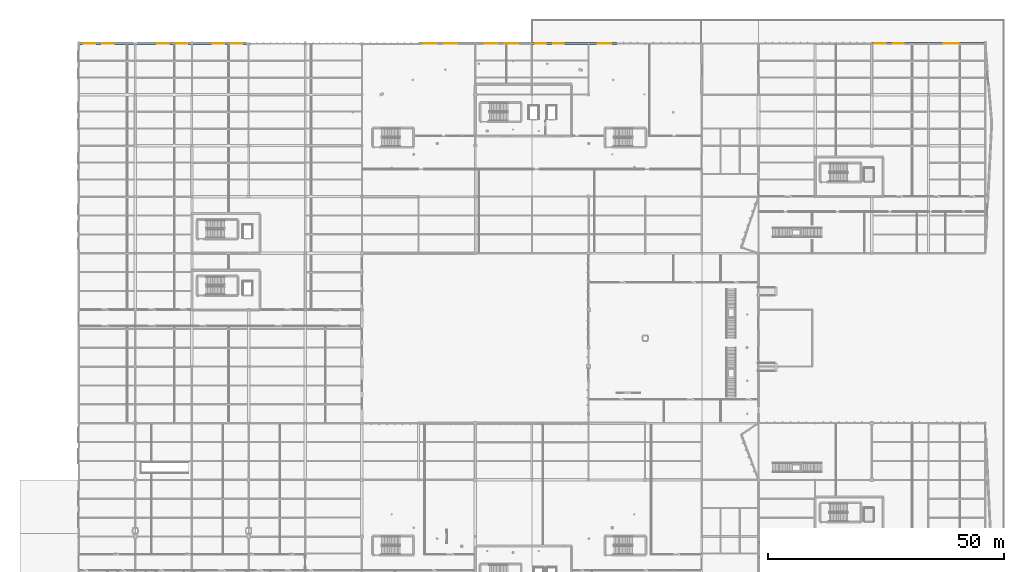
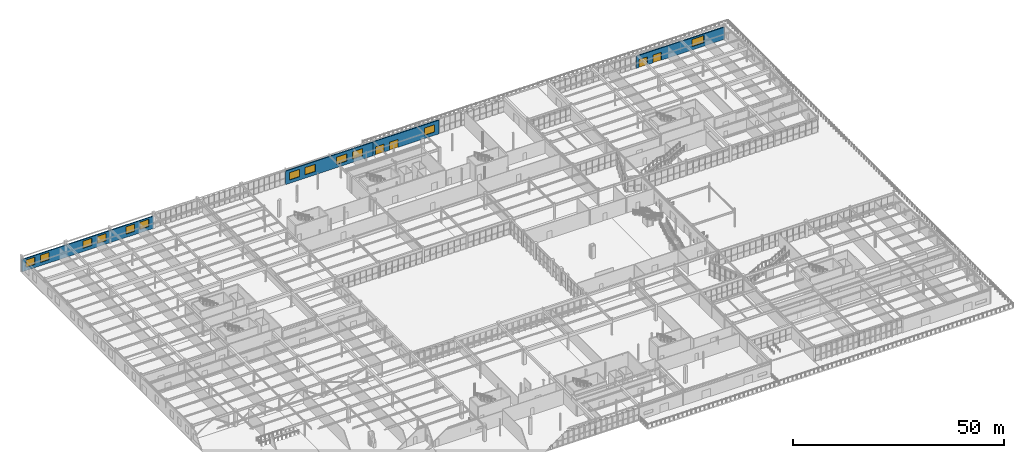
# One storey, part 173 of 199: 12 windows, 4 doors, 4 walls, 16 openings.
"""IFC4 building model written with IfcOpenShell, lengths in metres."""

from ifc_helpers import new_model, si_unit, direction, frame, frame_2d, origin, place, context, subcontext, project, spatial, rectangle, extrude, material, layer, layer_set, type_object, element, fill, save


model = new_model("IFC4")

# Units and contexts
model_context = context("Model", 3, precision=1e-05, world=origin(), true_north=direction((0.0, 1.0)))
body_context = subcontext(model_context, "Body", "Model", "MODEL_VIEW")
ifc_project = project(units=[si_unit("LENGTHUNIT", "METRE"), si_unit("AREAUNIT", "SQUARE_METRE"), si_unit("VOLUMEUNIT", "CUBIC_METRE"), si_unit("PLANEANGLEUNIT", "RADIAN"), si_unit("MASSUNIT", "GRAM", prefix="KILO")], contexts=[model_context])

# Site, building, storey
site_placement = place(None, origin())
site = spatial("IfcSite", under=ifc_project, at=site_placement, CompositionType="ELEMENT")
building_placement = place(site_placement, origin())
building = spatial("IfcBuilding", under=site, at=building_placement, Name="Tarnwether General Hospital", CompositionType="ELEMENT")
storey_placement = place(building_placement, origin())
storey = spatial("IfcBuildingStorey", under=building, at=storey_placement, Name="L00", CompositionType="ELEMENT", Elevation=0.0)

# Wall, openings, windows
ifc_material_1 = material(Name="Precast concrete 40 MPa", Category="concrete")
ifc_layer = layer(ifc_material_1, 0.280029296875)
ifc_layer_set = layer_set([ifc_layer], Name="Precast concrete 40 MPa")
wall_type = type_object("IfcWallType", Name="WL-EX280", PredefinedType="STANDARD", material=ifc_layer_set)
wall_1_placement = place(storey_placement, frame((0.0, 126.0, 0.0), z_axis=(0.0, 0.0, 1.0), x_axis=(1.0, 0.0, 0.0)))
wall_1 = element("IfcWall", 1, at=wall_1_placement, inside=storey, type_object=wall_type, Name="L00 North Street Wall EW-L00-0283", PredefinedType="STANDARD", context=body_context, shape_type="SweptSolid", body=[
    extrude(rectangle(XDim=36.0, YDim=0.280029296875, at=frame_2d((18.0, 0.0))), origin(), (0.0, 0.0, 1.0), 3.530029296875),
])
opening_1_placement = place(wall_1_placement, frame((1.10009765625, 0.0, 0.949951171875)))
opening_1 = element("IfcOpeningElement", 2, at=opening_1_placement, cuts=wall_1, Name="Opening W-15", PredefinedType="OPENING", context=body_context, shape_type="SweptSolid", body=[
    extrude(rectangle(XDim=2.39990234375, YDim=2.10009765625, at=frame_2d((1.199951171875, 1.050048828125))), frame((0.0, 0.14990234375, 0.0), z_axis=(0.0, -1.0, 0.0), x_axis=(1.0, 0.0, 0.0)), (0.0, 0.0, 1.0), 0.300048828125),
])
opening_2_placement = place(wall_1_placement, frame((5.0, 0.0, 0.949951171875)))
opening_2 = element("IfcOpeningElement", 3, at=opening_2_placement, cuts=wall_1, Name="Opening W-15", PredefinedType="OPENING", context=body_context, shape_type="SweptSolid", body=[
    extrude(rectangle(XDim=2.39990234375, YDim=2.10009765625, at=frame_2d((1.199951171875, 1.050048828125))), frame((0.0, 0.14990234375, 0.0), z_axis=(0.0, -1.0, 0.0), x_axis=(1.0, 0.0, 0.0)), (0.0, 0.0, 1.0), 0.300048828125),
])
opening_3_placement = place(wall_1_placement, frame((16.699951171875, 0.0, 0.949951171875)))
opening_3 = element("IfcOpeningElement", 4, at=opening_3_placement, cuts=wall_1, Name="Opening W-15", PredefinedType="OPENING", context=body_context, shape_type="SweptSolid", body=[
    extrude(rectangle(XDim=2.39990234375, YDim=2.10009765625, at=frame_2d((1.199951171875, 1.050048828125))), frame((0.0, 0.14990234375, 0.0), z_axis=(0.0, -1.0, 0.0), x_axis=(1.0, 0.0, 0.0)), (0.0, 0.0, 1.0), 0.300048828125),
])
opening_4_placement = place(wall_1_placement, frame((20.60009765625, 0.0, 0.949951171875)))
opening_4 = element("IfcOpeningElement", 5, at=opening_4_placement, cuts=wall_1, Name="Opening W-15", PredefinedType="OPENING", context=body_context, shape_type="SweptSolid", body=[
    extrude(rectangle(XDim=2.39990234375, YDim=2.10009765625, at=frame_2d((1.199951171875, 1.050048828125))), frame((0.0, 0.14990234375, 0.0), z_axis=(0.0, -1.0, 0.0), x_axis=(1.0, 0.0, 0.0)), (0.0, 0.0, 1.0), 0.300048828125),
])
opening_5_placement = place(wall_1_placement, frame((28.39990234375, 0.0, 0.949951171875)))
opening_5 = element("IfcOpeningElement", 6, at=opening_5_placement, cuts=wall_1, Name="Opening W-15", PredefinedType="OPENING", context=body_context, shape_type="SweptSolid", body=[
    extrude(rectangle(XDim=2.39990234375, YDim=2.10009765625, at=frame_2d((1.199951171875, 1.050048828125))), frame((0.0, 0.14990234375, 0.0), z_axis=(0.0, -1.0, 0.0), x_axis=(1.0, 0.0, 0.0)), (0.0, 0.0, 1.0), 0.300048828125),
])
opening_6_placement = place(wall_1_placement, frame((32.300048828125, 0.0, 0.949951171875)))
opening_6 = element("IfcOpeningElement", 7, at=opening_6_placement, cuts=wall_1, Name="Opening W-15", PredefinedType="OPENING", context=body_context, shape_type="SweptSolid", body=[
    extrude(rectangle(XDim=2.39990234375, YDim=2.10009765625, at=frame_2d((1.199951171875, 1.050048828125))), frame((0.0, 0.14990234375, 0.0), z_axis=(0.0, -1.0, 0.0), x_axis=(1.0, 0.0, 0.0)), (0.0, 0.0, 1.0), 0.300048828125),
])
ifc_material_2 = material(Name="Double glazed low-E glass", Category="glass")
window_type_1 = type_object("IfcWindowType", Name="WN-15", PartitioningType="TRIPLE_PANEL_VERTICAL", PredefinedType="WINDOW", material=ifc_material_2)
window_1_placement = place(opening_1_placement, origin())
window_1 = element("IfcWindow", 8, at=window_1_placement, inside=storey, type_object=window_type_1, Name="Window WN-L00-0034", OverallHeight=2.10009765625, OverallWidth=2.39990234375, PartitioningType="TRIPLE_PANEL_VERTICAL", PredefinedType="WINDOW", context=body_context, shape_type="SweptSolid", body=[
    extrude(rectangle(XDim=2.39990234375, YDim=2.10009765625, at=frame_2d((1.199951171875, 1.050048828125))), frame((0.0, 0.030029296875, 0.0), z_axis=(0.0, -1.0, 0.0), x_axis=(1.0, 0.0, 0.0)), (0.0, 0.0, 1.0), 0.06005859375),
])
fill(opening_1, window_1)
window_2_placement = place(opening_2_placement, origin())
window_2 = element("IfcWindow", 9, at=window_2_placement, inside=storey, type_object=window_type_1, Name="Window WN-L00-0035", OverallHeight=2.10009765625, OverallWidth=2.39990234375, PartitioningType="TRIPLE_PANEL_VERTICAL", PredefinedType="WINDOW", context=body_context, shape_type="SweptSolid", body=[
    extrude(rectangle(XDim=2.39990234375, YDim=2.10009765625, at=frame_2d((1.199951171875, 1.050048828125))), frame((0.0, 0.030029296875, 0.0), z_axis=(0.0, -1.0, 0.0), x_axis=(1.0, 0.0, 0.0)), (0.0, 0.0, 1.0), 0.06005859375),
])
fill(opening_2, window_2)
window_3_placement = place(opening_3_placement, origin())
window_3 = element("IfcWindow", 10, at=window_3_placement, inside=storey, type_object=window_type_1, Name="Window WN-L00-0036", OverallHeight=2.10009765625, OverallWidth=2.39990234375, PartitioningType="TRIPLE_PANEL_VERTICAL", PredefinedType="WINDOW", context=body_context, shape_type="SweptSolid", body=[
    extrude(rectangle(XDim=2.39990234375, YDim=2.10009765625, at=frame_2d((1.199951171875, 1.050048828125))), frame((0.0, 0.030029296875, 0.0), z_axis=(0.0, -1.0, 0.0), x_axis=(1.0, 0.0, 0.0)), (0.0, 0.0, 1.0), 0.06005859375),
])
fill(opening_3, window_3)
window_4_placement = place(opening_4_placement, origin())
window_4 = element("IfcWindow", 11, at=window_4_placement, inside=storey, type_object=window_type_1, Name="Window WN-L00-0037", OverallHeight=2.10009765625, OverallWidth=2.39990234375, PartitioningType="TRIPLE_PANEL_VERTICAL", PredefinedType="WINDOW", context=body_context, shape_type="SweptSolid", body=[
    extrude(rectangle(XDim=2.39990234375, YDim=2.10009765625, at=frame_2d((1.199951171875, 1.050048828125))), frame((0.0, 0.030029296875, 0.0), z_axis=(0.0, -1.0, 0.0), x_axis=(1.0, 0.0, 0.0)), (0.0, 0.0, 1.0), 0.06005859375),
])
fill(opening_4, window_4)
window_5_placement = place(opening_5_placement, origin())
window_5 = element("IfcWindow", 12, at=window_5_placement, inside=storey, type_object=window_type_1, Name="Window WN-L00-0038", OverallHeight=2.10009765625, OverallWidth=2.39990234375, PartitioningType="TRIPLE_PANEL_VERTICAL", PredefinedType="WINDOW", context=body_context, shape_type="SweptSolid", body=[
    extrude(rectangle(XDim=2.39990234375, YDim=2.10009765625, at=frame_2d((1.199951171875, 1.050048828125))), frame((0.0, 0.030029296875, 0.0), z_axis=(0.0, -1.0, 0.0), x_axis=(1.0, 0.0, 0.0)), (0.0, 0.0, 1.0), 0.06005859375),
])
fill(opening_5, window_5)
window_6_placement = place(opening_6_placement, origin())
window_6 = element("IfcWindow", 13, at=window_6_placement, inside=storey, type_object=window_type_1, Name="Window WN-L00-0039", OverallHeight=2.10009765625, OverallWidth=2.39990234375, PartitioningType="TRIPLE_PANEL_VERTICAL", PredefinedType="WINDOW", context=body_context, shape_type="SweptSolid", body=[
    extrude(rectangle(XDim=2.39990234375, YDim=2.10009765625, at=frame_2d((1.199951171875, 1.050048828125))), frame((0.0, 0.030029296875, 0.0), z_axis=(0.0, -1.0, 0.0), x_axis=(1.0, 0.0, 0.0)), (0.0, 0.0, 1.0), 0.06005859375),
])
fill(opening_6, window_6)

wall_2_placement = place(storey_placement, frame((72.0, 126.0, 0.0), z_axis=(0.0, 0.0, 1.0), x_axis=(1.0, 0.0, 0.0)))
wall_2 = element("IfcWall", 14, at=wall_2_placement, inside=storey, type_object=wall_type, Name="L00 North Street Wall EW-L00-0284", PredefinedType="STANDARD", context=body_context, shape_type="SweptSolid", body=[
    extrude(rectangle(XDim=24.0, YDim=0.280029296875, at=frame_2d((12.0, 0.0))), origin(), (0.0, 0.0, 1.0), 3.902099609375),
])
opening_7_placement = place(wall_2_placement, frame((1.10009765625, 0.0, 0.949951171875)))
opening_7 = element("IfcOpeningElement", 15, at=opening_7_placement, cuts=wall_2, Name="Opening W-16", PredefinedType="OPENING", context=body_context, shape_type="SweptSolid", body=[
    extrude(rectangle(XDim=2.800048828125, YDim=2.10009765625, at=frame_2d((1.39990234375, 1.050048828125))), frame((0.0, 0.14990234375, 0.0), z_axis=(0.0, -1.0, 0.0), x_axis=(1.0, 0.0, 0.0)), (0.0, 0.0, 1.0), 0.300048828125),
])
opening_8_placement = place(wall_2_placement, frame((5.39990234375, 0.0, 0.949951171875)))
opening_8 = element("IfcOpeningElement", 16, at=opening_8_placement, cuts=wall_2, Name="Opening W-16", PredefinedType="OPENING", context=body_context, shape_type="SweptSolid", body=[
    extrude(rectangle(XDim=2.800048828125, YDim=2.10009765625, at=frame_2d((1.39990234375, 1.050048828125))), frame((0.0, 0.14990234375, 0.0), z_axis=(0.0, -1.0, 0.0), x_axis=(1.0, 0.0, 0.0)), (0.0, 0.0, 1.0), 0.300048828125),
])
opening_9_placement = place(wall_2_placement, frame((14.0, 0.0, 0.949951171875)))
opening_9 = element("IfcOpeningElement", 17, at=opening_9_placement, cuts=wall_2, Name="Opening W-16", PredefinedType="OPENING", context=body_context, shape_type="SweptSolid", body=[
    extrude(rectangle(XDim=2.800048828125, YDim=2.10009765625, at=frame_2d((1.39990234375, 1.050048828125))), frame((0.0, 0.14990234375, 0.0), z_axis=(0.0, -1.0, 0.0), x_axis=(1.0, 0.0, 0.0)), (0.0, 0.0, 1.0), 0.300048828125),
])
opening_10_placement = place(wall_2_placement, frame((18.300048828125, 0.0, 0.949951171875)))
opening_10 = element("IfcOpeningElement", 18, at=opening_10_placement, cuts=wall_2, Name="Opening W-16", PredefinedType="OPENING", context=body_context, shape_type="SweptSolid", body=[
    extrude(rectangle(XDim=2.800048828125, YDim=2.10009765625, at=frame_2d((1.39990234375, 1.050048828125))), frame((0.0, 0.14990234375, 0.0), z_axis=(0.0, -1.0, 0.0), x_axis=(1.0, 0.0, 0.0)), (0.0, 0.0, 1.0), 0.300048828125),
])
ifc_material_3 = material(Name="Double glazed low-E glass", Category="glass")
window_type_2 = type_object("IfcWindowType", Name="WN-16", PartitioningType="TRIPLE_PANEL_VERTICAL", PredefinedType="WINDOW", material=ifc_material_3)
window_7_placement = place(opening_7_placement, origin())
window_7 = element("IfcWindow", 19, at=window_7_placement, inside=storey, type_object=window_type_2, Name="Window WN-L00-0040", OverallHeight=2.10009765625, OverallWidth=2.800048828125, PartitioningType="TRIPLE_PANEL_VERTICAL", PredefinedType="WINDOW", context=body_context, shape_type="SweptSolid", body=[
    extrude(rectangle(XDim=2.800048828125, YDim=2.10009765625, at=frame_2d((1.39990234375, 1.050048828125))), frame((0.0, 0.030029296875, 0.0), z_axis=(0.0, -1.0, 0.0), x_axis=(1.0, 0.0, 0.0)), (0.0, 0.0, 1.0), 0.06005859375),
])
fill(opening_7, window_7)
window_8_placement = place(opening_8_placement, origin())
window_8 = element("IfcWindow", 20, at=window_8_placement, inside=storey, type_object=window_type_2, Name="Window WN-L00-0041", OverallHeight=2.10009765625, OverallWidth=2.800048828125, PartitioningType="TRIPLE_PANEL_VERTICAL", PredefinedType="WINDOW", context=body_context, shape_type="SweptSolid", body=[
    extrude(rectangle(XDim=2.800048828125, YDim=2.10009765625, at=frame_2d((1.39990234375, 1.050048828125))), frame((0.0, 0.030029296875, 0.0), z_axis=(0.0, -1.0, 0.0), x_axis=(1.0, 0.0, 0.0)), (0.0, 0.0, 1.0), 0.06005859375),
])
fill(opening_8, window_8)
window_9_placement = place(opening_9_placement, origin())
window_9 = element("IfcWindow", 21, at=window_9_placement, inside=storey, type_object=window_type_2, Name="Window WN-L00-0042", OverallHeight=2.10009765625, OverallWidth=2.800048828125, PartitioningType="TRIPLE_PANEL_VERTICAL", PredefinedType="WINDOW", context=body_context, shape_type="SweptSolid", body=[
    extrude(rectangle(XDim=2.800048828125, YDim=2.10009765625, at=frame_2d((1.39990234375, 1.050048828125))), frame((0.0, 0.030029296875, 0.0), z_axis=(0.0, -1.0, 0.0), x_axis=(1.0, 0.0, 0.0)), (0.0, 0.0, 1.0), 0.06005859375),
])
fill(opening_9, window_9)
window_10_placement = place(opening_10_placement, origin())
window_10 = element("IfcWindow", 22, at=window_10_placement, inside=storey, type_object=window_type_2, Name="Window WN-L00-0043", OverallHeight=2.10009765625, OverallWidth=2.800048828125, PartitioningType="TRIPLE_PANEL_VERTICAL", PredefinedType="WINDOW", context=body_context, shape_type="SweptSolid", body=[
    extrude(rectangle(XDim=2.800048828125, YDim=2.10009765625, at=frame_2d((1.39990234375, 1.050048828125))), frame((0.0, 0.030029296875, 0.0), z_axis=(0.0, -1.0, 0.0), x_axis=(1.0, 0.0, 0.0)), (0.0, 0.0, 1.0), 0.06005859375),
])
fill(opening_10, window_10)

# Wall, openings, doors, window
wall_3_placement = place(storey_placement, frame((96.0, 126.0, 0.0), z_axis=(0.0, 0.0, 1.0), x_axis=(1.0, 0.0, 0.0)))
wall_3 = element("IfcWall", 23, at=wall_3_placement, inside=storey, type_object=wall_type, Name="L00 North Street Wall EW-L00-0285", PredefinedType="STANDARD", context=body_context, shape_type="SweptSolid", body=[
    extrude(rectangle(XDim=18.0, YDim=0.280029296875, at=frame_2d((9.0, 0.0))), origin(), (0.0, 0.0, 1.0), 3.969970703125),
])
opening_11_placement = place(wall_3_placement, frame((4.5, 0.0, 0.0)))
opening_11 = element("IfcOpeningElement", 24, at=opening_11_placement, cuts=wall_3, Name="Opening ED-02", PredefinedType="OPENING", context=body_context, shape_type="SweptSolid", body=[
    extrude(rectangle(XDim=2.300048828125, YDim=2.300048828125, at=frame_2d((1.14990234375, 1.14990234375))), frame((0.0, 0.14990234375, 0.0), z_axis=(0.0, -1.0, 0.0), x_axis=(1.0, 0.0, 0.0)), (0.0, 0.0, 1.0), 0.300048828125),
])
opening_12_placement = place(wall_3_placement, frame((0.669921875, 0.0, 0.0)))
opening_12 = element("IfcOpeningElement", 25, at=opening_12_placement, cuts=wall_3, Name="Opening ED-02", PredefinedType="OPENING", context=body_context, shape_type="SweptSolid", body=[
    extrude(rectangle(XDim=2.300048828125, YDim=2.300048828125, at=frame_2d((1.14990234375, 1.14990234375))), frame((0.0, 0.14990234375, 0.0), z_axis=(0.0, -1.0, 0.0), x_axis=(1.0, 0.0, 0.0)), (0.0, 0.0, 1.0), 0.300048828125),
])
opening_13_placement = place(wall_3_placement, frame((14.0, 0.0, 0.949951171875)))
opening_13 = element("IfcOpeningElement", 26, at=opening_13_placement, cuts=wall_3, Name="Opening W-16", PredefinedType="OPENING", context=body_context, shape_type="SweptSolid", body=[
    extrude(rectangle(XDim=2.800048828125, YDim=2.10009765625, at=frame_2d((1.39990234375, 1.050048828125))), frame((0.0, 0.14990234375, 0.0), z_axis=(0.0, -1.0, 0.0), x_axis=(1.0, 0.0, 0.0)), (0.0, 0.0, 1.0), 0.300048828125),
])
ifc_material_4 = material(Name="Anodised aluminium", Category="aluminium")
door_type = type_object("IfcDoorType", Name="DR-EX02", OperationType="NOTDEFINED", PredefinedType="DOOR", material=ifc_material_4)
door_1_placement = place(opening_11_placement, origin())
door_1 = element("IfcDoor", 27, at=door_1_placement, inside=storey, type_object=door_type, Name="L00 North Final Exit A ED-L00-0012", OperationType="DOUBLE_DOOR_SINGLE_SWING", OverallHeight=2.300048828125, OverallWidth=2.300048828125, PredefinedType="DOOR", context=body_context, shape_type="SweptSolid", body=[
    extrude(rectangle(XDim=2.300048828125, YDim=2.300048828125, at=frame_2d((1.14990234375, 1.14990234375))), frame((0.0, 0.02490234375, 0.0), z_axis=(0.0, -1.0, 0.0), x_axis=(1.0, 0.0, 0.0)), (0.0, 0.0, 1.0), 0.050048828125),
])
fill(opening_11, door_1)
door_2_placement = place(opening_12_placement, origin())
door_2 = element("IfcDoor", 28, at=door_2_placement, inside=storey, type_object=door_type, Name="L00 North Final Exit B ED-L00-0013", OperationType="DOUBLE_DOOR_SINGLE_SWING", OverallHeight=2.300048828125, OverallWidth=2.300048828125, PredefinedType="DOOR", context=body_context, shape_type="SweptSolid", body=[
    extrude(rectangle(XDim=2.300048828125, YDim=2.300048828125, at=frame_2d((1.14990234375, 1.14990234375))), frame((0.0, 0.02490234375, 0.0), z_axis=(0.0, -1.0, 0.0), x_axis=(1.0, 0.0, 0.0)), (0.0, 0.0, 1.0), 0.050048828125),
])
fill(opening_12, door_2)
window_11_placement = place(opening_13_placement, origin())
window_11 = element("IfcWindow", 29, at=window_11_placement, inside=storey, type_object=window_type_2, Name="Window WN-L00-0044", OverallHeight=2.10009765625, OverallWidth=2.800048828125, PartitioningType="TRIPLE_PANEL_VERTICAL", PredefinedType="WINDOW", context=body_context, shape_type="SweptSolid", body=[
    extrude(rectangle(XDim=2.800048828125, YDim=2.10009765625, at=frame_2d((1.39990234375, 1.050048828125))), frame((0.0, 0.030029296875, 0.0), z_axis=(0.0, -1.0, 0.0), x_axis=(1.0, 0.0, 0.0)), (0.0, 0.0, 1.0), 0.06005859375),
])
fill(opening_13, window_11)

wall_4_placement = place(storey_placement, frame((168.0, 126.0, 0.0), z_axis=(0.0, 0.0, 1.0), x_axis=(1.0, 0.0, 0.0)))
wall_4 = element("IfcWall", 30, at=wall_4_placement, inside=storey, type_object=wall_type, Name="L00 North Street Wall EW-L00-0286", PredefinedType="STANDARD", context=body_context, shape_type="SweptSolid", body=[
    extrude(rectangle(XDim=24.0, YDim=0.280029296875, at=frame_2d((12.0, 0.0))), origin(), (0.0, 0.0, 1.0), 3.530029296875),
])
opening_14_placement = place(wall_4_placement, frame((4.5, 0.0, 0.0)))
opening_14 = element("IfcOpeningElement", 31, at=opening_14_placement, cuts=wall_4, Name="Opening ED-02", PredefinedType="OPENING", context=body_context, shape_type="SweptSolid", body=[
    extrude(rectangle(XDim=2.300048828125, YDim=2.300048828125, at=frame_2d((1.14990234375, 1.14990234375))), frame((0.0, 0.14990234375, 0.0), z_axis=(0.0, -1.0, 0.0), x_axis=(1.0, 0.0, 0.0)), (0.0, 0.0, 1.0), 0.300048828125),
])
opening_15_placement = place(wall_4_placement, frame((0.6708984375, 0.0, 0.0)))
opening_15 = element("IfcOpeningElement", 32, at=opening_15_placement, cuts=wall_4, Name="Opening ED-02", PredefinedType="OPENING", context=body_context, shape_type="SweptSolid", body=[
    extrude(rectangle(XDim=2.300048828125, YDim=2.300048828125, at=frame_2d((1.14990234375, 1.14990234375))), frame((0.0, 0.14990234375, 0.0), z_axis=(0.0, -1.0, 0.0), x_axis=(1.0, 0.0, 0.0)), (0.0, 0.0, 1.0), 0.300048828125),
])
opening_16_placement = place(wall_4_placement, frame((15.199951171875, 0.0, 0.949951171875)))
opening_16 = element("IfcOpeningElement", 33, at=opening_16_placement, cuts=wall_4, Name="Opening W-17", PredefinedType="OPENING", context=body_context, shape_type="SweptSolid", body=[
    extrude(rectangle(XDim=3.199951171875, YDim=2.10009765625, at=frame_2d((1.60009765625, 1.050048828125))), frame((0.0, 0.14990234375, 0.0), z_axis=(0.0, -1.0, 0.0), x_axis=(1.0, 0.0, 0.0)), (0.0, 0.0, 1.0), 0.300048828125),
])
door_3_placement = place(opening_14_placement, origin())
door_3 = element("IfcDoor", 34, at=door_3_placement, inside=storey, type_object=door_type, Name="L00 North Final Exit A ED-L00-0014", OperationType="DOUBLE_DOOR_SINGLE_SWING", OverallHeight=2.300048828125, OverallWidth=2.300048828125, PredefinedType="DOOR", context=body_context, shape_type="SweptSolid", body=[
    extrude(rectangle(XDim=2.300048828125, YDim=2.300048828125, at=frame_2d((1.14990234375, 1.14990234375))), frame((0.0, 0.02490234375, 0.0), z_axis=(0.0, -1.0, 0.0), x_axis=(1.0, 0.0, 0.0)), (0.0, 0.0, 1.0), 0.050048828125),
])
fill(opening_14, door_3)
door_4_placement = place(opening_15_placement, origin())
door_4 = element("IfcDoor", 35, at=door_4_placement, inside=storey, type_object=door_type, Name="L00 North Final Exit B ED-L00-0015", OperationType="DOUBLE_DOOR_SINGLE_SWING", OverallHeight=2.300048828125, OverallWidth=2.300048828125, PredefinedType="DOOR", context=body_context, shape_type="SweptSolid", body=[
    extrude(rectangle(XDim=2.300048828125, YDim=2.300048828125, at=frame_2d((1.14990234375, 1.14990234375))), frame((0.0, 0.02490234375, 0.0), z_axis=(0.0, -1.0, 0.0), x_axis=(1.0, 0.0, 0.0)), (0.0, 0.0, 1.0), 0.050048828125),
])
fill(opening_15, door_4)
ifc_material_5 = material(Name="Double glazed low-E glass", Category="glass")
window_type_3 = type_object("IfcWindowType", Name="WN-17", PartitioningType="TRIPLE_PANEL_VERTICAL", PredefinedType="WINDOW", material=ifc_material_5)
window_12_placement = place(opening_16_placement, origin())
window_12 = element("IfcWindow", 36, at=window_12_placement, inside=storey, type_object=window_type_3, Name="Window WN-L00-0045", OverallHeight=2.10009765625, OverallWidth=3.199951171875, PartitioningType="TRIPLE_PANEL_VERTICAL", PredefinedType="WINDOW", context=body_context, shape_type="SweptSolid", body=[
    extrude(rectangle(XDim=3.199951171875, YDim=2.10009765625, at=frame_2d((1.60009765625, 1.050048828125))), frame((0.0, 0.030029296875, 0.0), z_axis=(0.0, -1.0, 0.0), x_axis=(1.0, 0.0, 0.0)), (0.0, 0.0, 1.0), 0.06005859375),
])
fill(opening_16, window_12)

save(model, "model.ifc")
